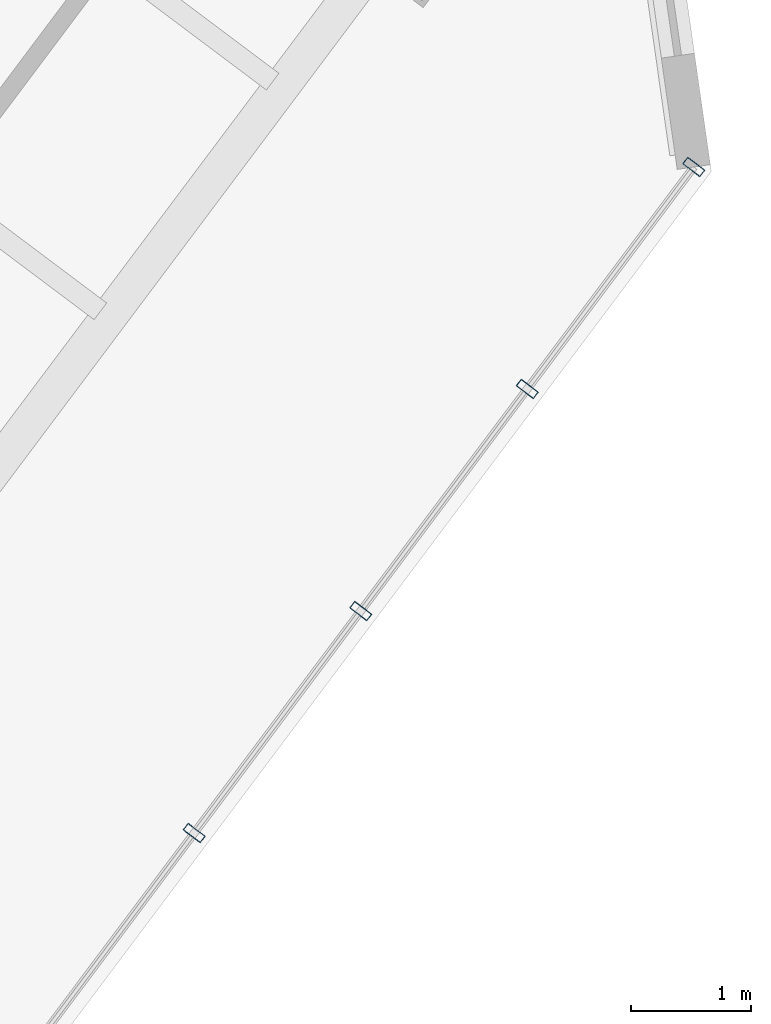
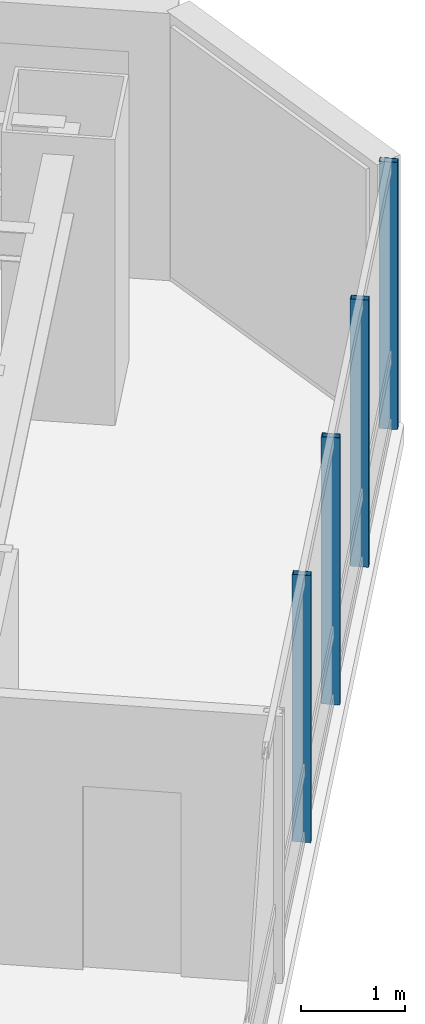
# One storey, part 19 of 33: 4 members, 1 element without a shape of its own.
"""IFC4 building model written with IfcOpenShell, lengths in metres."""

from ifc_helpers import new_model, si_unit, direction, frame, origin, origin_2d, place, context, subcontext, project, spatial, hollow_rectangle, extrude, material, layer, layer_set, material_profile, profile_set, type_object, element, aggregate, save


model = new_model("IFC4")

# Units and contexts
model_context = context("Model", 3, precision=1e-05, world=origin(), true_north=direction((0.0, 1.0)))
body_context = subcontext(model_context, "Body", "Model", "MODEL_VIEW")
ifc_project = project(units=[si_unit("LENGTHUNIT", "METRE"), si_unit("AREAUNIT", "SQUARE_METRE"), si_unit("VOLUMEUNIT", "CUBIC_METRE"), si_unit("PLANEANGLEUNIT", "RADIAN"), si_unit("MASSUNIT", "GRAM", prefix="KILO")], contexts=[model_context])

# Site, building, storey
site_placement = place(None, origin())
site = spatial("IfcSite", under=ifc_project, at=site_placement, CompositionType="ELEMENT")
building_placement = place(site_placement, origin())
building = spatial("IfcBuilding", under=site, at=building_placement, Name="Hatsunagi Terrace Concourse", CompositionType="ELEMENT")
storey_placement = place(building_placement, frame((0.0, 0.0, 56.699951171875)))
storey = spatial("IfcBuildingStorey", under=building, at=storey_placement, Name="L14", CompositionType="ELEMENT", Elevation=56.699951171875)

# Curtain wall, members
ifc_material_1 = material(Name="Anodised Aluminium Alloy 6063-T5", Category="aluminium")
ifc_layer = layer(ifc_material_1, 0.199951171875)
ifc_layer_set = layer_set([ifc_layer], Name="HotelFacade_CW02")
curtain_wall_type = type_object("IfcCurtainWallType", Name="HotelFacade_CW02", PredefinedType="NOTDEFINED", material=ifc_layer_set)
curtain_wall_placement = place(storey_placement, origin())
curtain_wall = element("IfcCurtainWall", 1, at=curtain_wall_placement, inside=storey, type_object=curtain_wall_type, Name="Unitised Curtain Wall CW-02 CW-L14-03", PredefinedType="NOTDEFINED")
ifc_material_2 = material(Name="Anodised Aluminium Alloy 6063-T5", Category="aluminium")
ifc_material_profile = material_profile(ifc_material_2, hollow_rectangle(XDim=0.070068359375, YDim=0.179931640625, WallThickness=0.00390625, at=origin_2d()), Name="ALU-MUL-180x70x4")
ifc_profile_set = profile_set([ifc_material_profile], Name="Anodised Aluminium Alloy 6063-T5")
member_type = type_object("IfcMemberType", Name="CurtainWallMullion_180x70", PredefinedType="MULLION", material=ifc_profile_set)
member_1_placement = place(storey_placement, frame((69.093017578125, 19.657958984375, 0.0), z_axis=(0.0, 0.0, 1.0), x_axis=(-0.599969314634, -0.800023013105, 0.0)))
member_1 = element("IfcMember", 2, at=member_1_placement, type_object=member_type, Name="Curtain Wall Mullion MUL-02", PredefinedType="MULLION", context=body_context, shape_type="SweptSolid", body=[
    extrude(hollow_rectangle(XDim=0.070068359375, YDim=0.179931640625, WallThickness=0.00390625, at=origin_2d()), origin(), (0.0, 0.0, 1.0), 3.130126953125),
])
member_2_placement = place(storey_placement, frame((67.700927734375, 17.802001953125, 0.0), z_axis=(0.0, 0.0, 1.0), x_axis=(-0.599969314634, -0.800023013105, 0.0)))
member_2 = element("IfcMember", 3, at=member_2_placement, type_object=member_type, Name="Curtain Wall Mullion MUL-02", PredefinedType="MULLION", context=body_context, shape_type="SweptSolid", body=[
    extrude(hollow_rectangle(XDim=0.070068359375, YDim=0.179931640625, WallThickness=0.00390625, at=origin_2d()), origin(), (0.0, 0.0, 1.0), 3.130126953125),
])
member_3_placement = place(storey_placement, frame((66.30908203125, 15.945068359375, 0.0), z_axis=(0.0, 0.0, 1.0), x_axis=(-0.599969314634, -0.800023013105, 0.0)))
member_3 = element("IfcMember", 4, at=member_3_placement, type_object=member_type, Name="Curtain Wall Mullion MUL-02", PredefinedType="MULLION", context=body_context, shape_type="SweptSolid", body=[
    extrude(hollow_rectangle(XDim=0.070068359375, YDim=0.179931640625, WallThickness=0.00390625, at=origin_2d()), origin(), (0.0, 0.0, 1.0), 3.130126953125),
])
member_4_placement = place(storey_placement, frame((64.916015625, 14.089111328125, 0.0), z_axis=(0.0, 0.0, 1.0), x_axis=(-0.599969314634, -0.800023013105, 0.0)))
member_4 = element("IfcMember", 5, at=member_4_placement, type_object=member_type, Name="Curtain Wall Mullion MUL-02", PredefinedType="MULLION", context=body_context, shape_type="SweptSolid", body=[
    extrude(hollow_rectangle(XDim=0.070068359375, YDim=0.179931640625, WallThickness=0.00390625, at=origin_2d()), origin(), (0.0, 0.0, 1.0), 3.130126953125),
])
aggregate(curtain_wall, [member_1, member_2, member_3, member_4])

save(model, "model.ifc")
